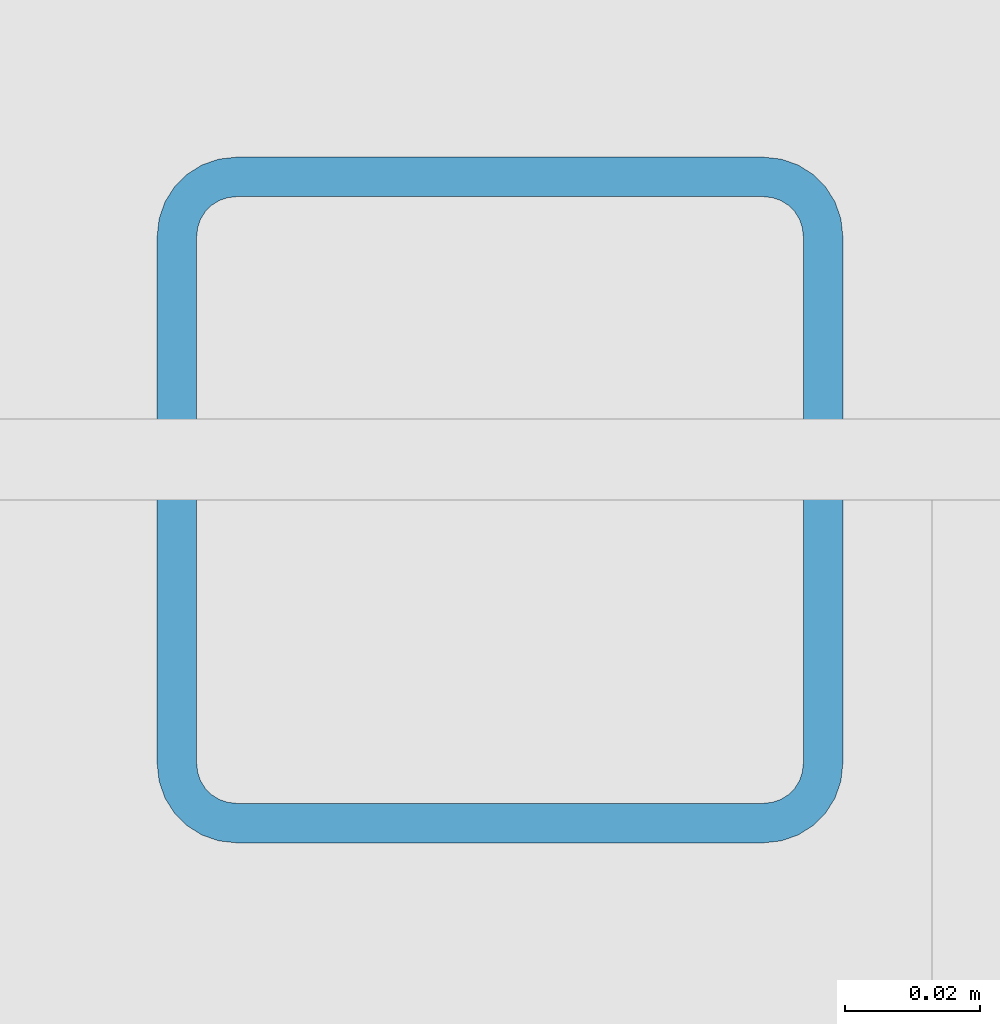
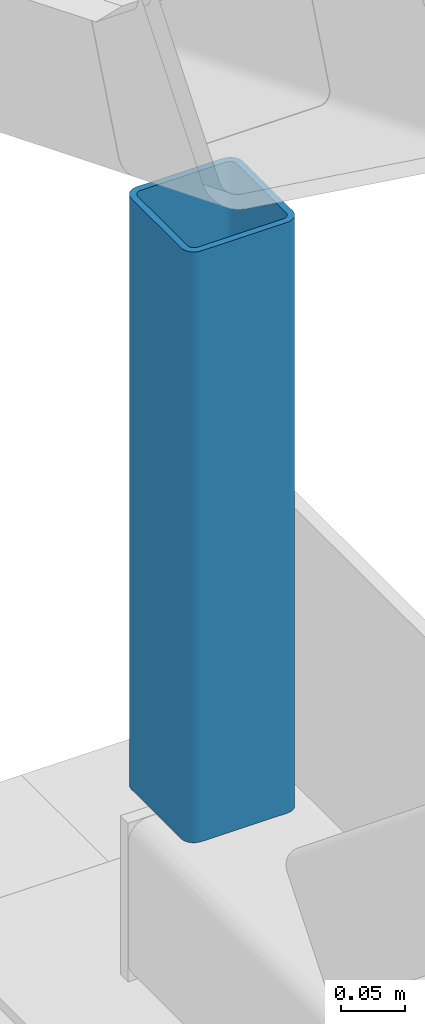
# One storey, part 32 of 71: 1 member.
"""IFC4 building model written with IfcOpenShell, lengths in metres."""

from ifc_helpers import new_model, si_unit, direction, frame, origin, origin_2d, place, context, subcontext, project, spatial, hollow_rectangle, extrude, material, material_profile, profile_set, type_object, element, save


model = new_model("IFC4")

# Units and contexts
model_context = context("Model", 3, precision=1e-05, world=origin(), true_north=direction((0.0, 1.0)))
body_context = subcontext(model_context, "Body", "Model", "MODEL_VIEW")
ifc_project = project(units=[si_unit("LENGTHUNIT", "METRE"), si_unit("AREAUNIT", "SQUARE_METRE"), si_unit("VOLUMEUNIT", "CUBIC_METRE"), si_unit("PLANEANGLEUNIT", "RADIAN"), si_unit("MASSUNIT", "GRAM", prefix="KILO")], contexts=[model_context])

# Site, building, storey
site_placement = place(None, origin())
site = spatial("IfcSite", under=ifc_project, at=site_placement, CompositionType="ELEMENT")
building_placement = place(site_placement, origin())
building = spatial("IfcBuilding", under=site, at=building_placement, Name="Wasatch Bagh Community Centre", CompositionType="ELEMENT")
storey_placement = place(building_placement, frame((0.0, 0.0, 12.60009765625)))
storey = spatial("IfcBuildingStorey", under=building, at=storey_placement, Name="L03", CompositionType="ELEMENT", Elevation=12.60009765625)

# Member
ifc_material = material(Name="ASTM A500 Grade C steel", Category="steel")
ifc_material_profile = material_profile(ifc_material, hollow_rectangle(XDim=0.1015625, YDim=0.1015625, WallThickness=0.005859375, InnerFilletRadius=0.005859375, OuterFilletRadius=0.01171875, at=origin_2d()), Name="HSS4x4x1/4")
ifc_profile_set = profile_set([ifc_material_profile], Name="ASTM A500 Grade C steel")
member_type = type_object("IfcMemberType", Name="SH HSS4x4x1/4 post", PredefinedType="POST", material=ifc_profile_set)
member_placement = place(storey_placement, frame((129.0, 65.800048828125, 0.76220703125), z_axis=(0.0, 0.0, 1.0), x_axis=(1.0, 0.0, 0.0)))
element("IfcMember", 1, at=member_placement, inside=storey, type_object=member_type, Name="SH.SA4.PS13", PredefinedType="POST", context=body_context, shape_type="SweptSolid", body=[
    extrude(hollow_rectangle(XDim=0.1015625, YDim=0.1015625, WallThickness=0.005859375, InnerFilletRadius=0.005859375, OuterFilletRadius=0.01171875, at=origin_2d()), origin(), (0.0, 0.0, 1.0), 0.5673828125),
])

save(model, "model.ifc")
